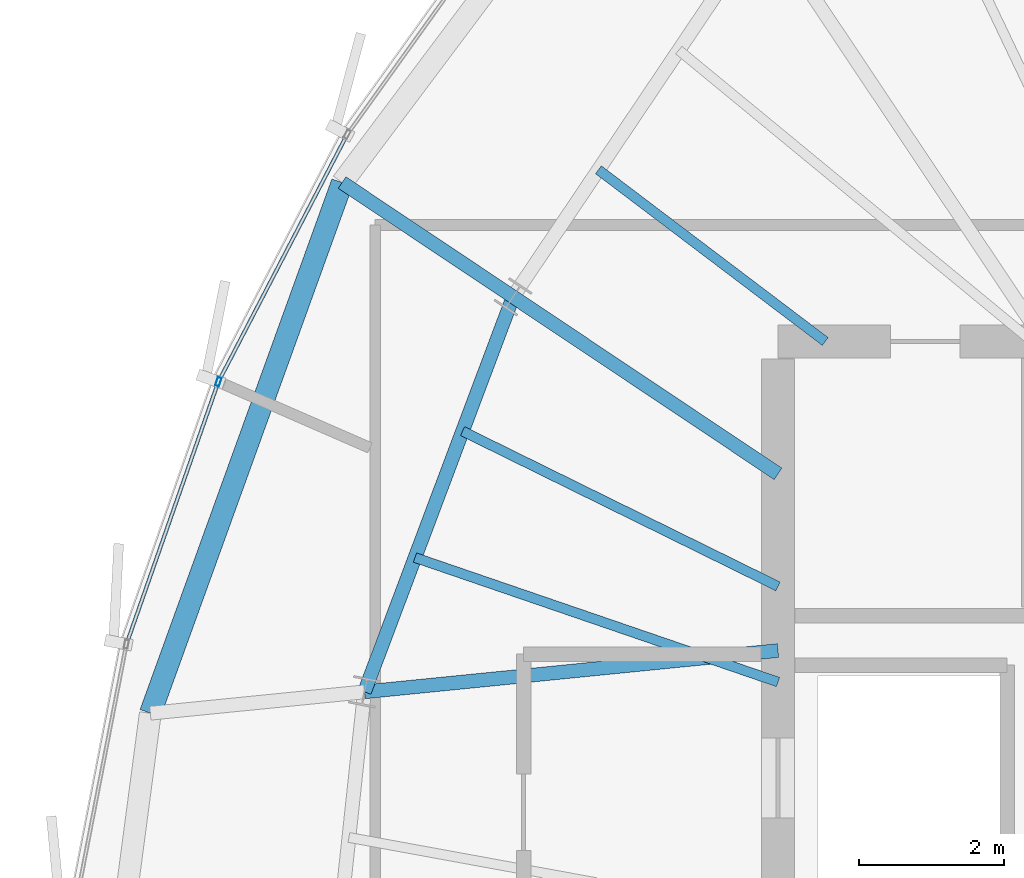
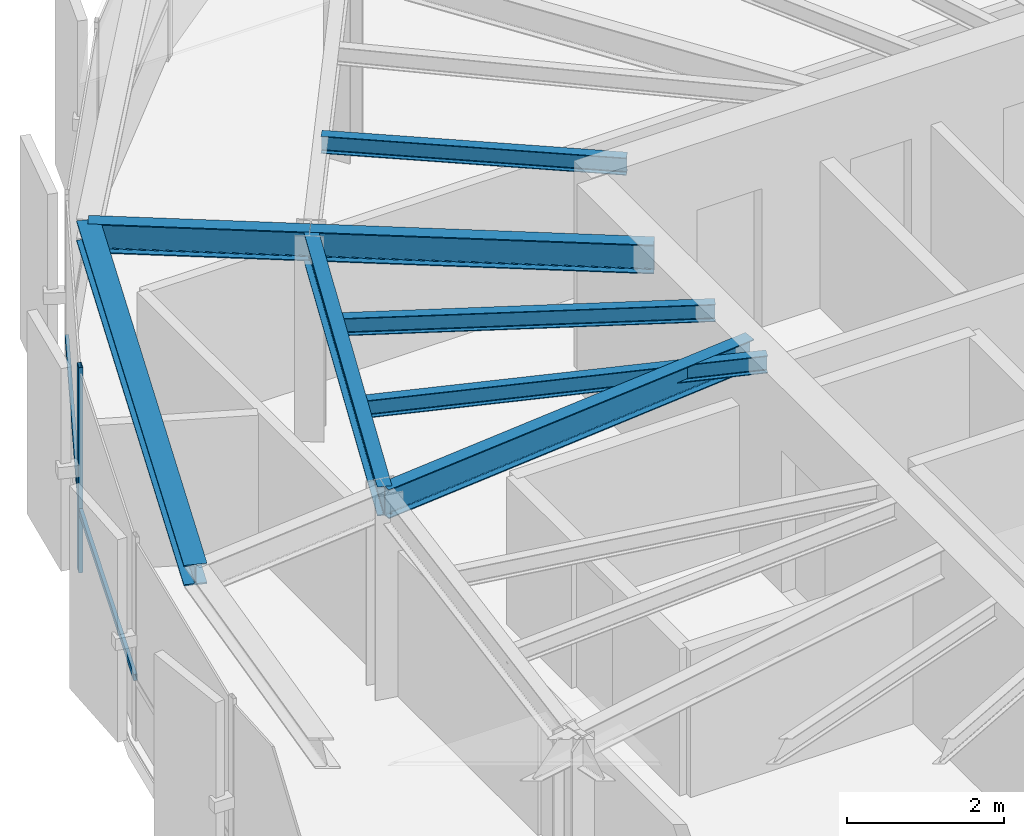
# One storey, part 12 of 31: 8 beams, 3 members, 1 element without a shape of its own.
"""IFC4 building model written with IfcOpenShell, lengths in metres."""

from ifc_helpers import new_model, si_unit, direction, frame, origin, origin_2d, place, context, subcontext, project, spatial, hollow_rectangle, i_section, extrude, source, transform, mapped, material, layer, layer_set, material_profile, profile_set, type_object, element, aggregate, save


model = new_model("IFC4")

# Units and contexts
model_context = context("Model", 3, precision=1e-05, world=origin(), true_north=direction((0.0, 1.0)))
body_context = subcontext(model_context, "Body", "Model", "MODEL_VIEW")
ifc_project = project(units=[si_unit("LENGTHUNIT", "METRE"), si_unit("AREAUNIT", "SQUARE_METRE"), si_unit("VOLUMEUNIT", "CUBIC_METRE"), si_unit("PLANEANGLEUNIT", "RADIAN"), si_unit("MASSUNIT", "GRAM", prefix="KILO"), si_unit("THERMODYNAMICTEMPERATUREUNIT", "KELVIN")], contexts=[model_context])

# Site, building, storey
site_placement = place(None, origin())
site = spatial("IfcSite", under=ifc_project, at=site_placement, CompositionType="ELEMENT")
building_placement = place(site_placement, origin())
building = spatial("IfcBuilding", under=site, at=building_placement, Name="Kethvar Cultural Tower", CompositionType="ELEMENT")
storey_placement = place(building_placement, frame((0.0, 0.0, 300.85009765625)))
storey = spatial("IfcBuildingStorey", under=building, at=storey_placement, Name="L80", CompositionType="ELEMENT", Elevation=300.85009765625)

# Beams
ifc_material_1 = material(Name="Steel S355J2", Category="steel")
ifc_material_profile_1 = material_profile(ifc_material_1, i_section(OverallWidth=0.18994140625, OverallDepth=0.449951171875, WebThickness=0.009521484375, FlangeThickness=0.0146484375, FilletRadius=0.02099609375, at=origin_2d()), Name="Steel S355J2 — IPE450")
ifc_profile_set_1 = profile_set([ifc_material_profile_1], Name="Steel S355J2 — IPE450")
beam_type_1 = type_object("IfcBeamType", Name="BM-IPE450", PredefinedType="BEAM", material=ifc_profile_set_1)
shared_shape_1 = source(origin(), body_context, "Body", "SweptSolid", [
    extrude(i_section(OverallWidth=0.18994140625, OverallDepth=0.449951171875, WebThickness=0.009521484375, FlangeThickness=0.0146484375, FilletRadius=0.02099609375, at=origin_2d()), origin(), (0.0, 0.0, 1.0), 4.3828125),
])
beam_1_placement = place(storey_placement, frame((38.0, 33.679931640625, 2.9580078125), z_axis=(-0.831449909861, 0.555599718676, 0.0), x_axis=(-0.555599718676, -0.831449909861, 0.0)))
element("IfcBeam", 1, at=beam_1_placement, inside=storey, type_object=beam_type_1, Name="L80 Primary Radial Beam RB-07", PredefinedType="BEAM", context=body_context, shape_type="MappedRepresentation", body=[
    mapped(shared_shape_1, transform((0.0, 0.0, 0.0), scale=1.0)),
])
shared_shape_2 = source(origin(), body_context, "Body", "SweptSolid", [
    extrude(i_section(OverallWidth=0.18994140625, OverallDepth=0.449951171875, WebThickness=0.009521484375, FlangeThickness=0.0146484375, FilletRadius=0.02099609375, at=origin_2d()), origin(), (0.0, 0.0, 1.0), 5.7158203125),
])
beam_2_placement = place(storey_placement, frame((38.0, 31.25, 2.9580078125), z_axis=(-0.995048179628, -0.099393763478, 0.0), x_axis=(0.099393763478, -0.995048179628, 0.0)))
element("IfcBeam", 2, at=beam_2_placement, inside=storey, type_object=beam_type_1, Name="L80 Primary Radial Beam RB-08", PredefinedType="BEAM", context=body_context, shape_type="MappedRepresentation", body=[
    mapped(shared_shape_2, transform((0.0, 0.0, 0.0), scale=1.0)),
])
ifc_material_profile_2 = material_profile(ifc_material_1, i_section(OverallWidth=0.135009765625, OverallDepth=0.27001953125, WebThickness=0.006591796875, FlangeThickness=0.01025390625, FilletRadius=0.014892578125, at=origin_2d()), Name="Steel S355J2 — IPE270")
ifc_profile_set_2 = profile_set([ifc_material_profile_2], Name="Steel S355J2 — IPE270")
beam_type_2 = type_object("IfcBeamType", Name="BM-J270", PredefinedType="JOIST", material=ifc_profile_set_2)
shared_shape_3 = source(origin(), body_context, "Body", "SweptSolid", [
    extrude(i_section(OverallWidth=0.135009765625, OverallDepth=0.27001953125, WebThickness=0.006591796875, FlangeThickness=0.01025390625, FilletRadius=0.014892578125, at=origin_2d()), origin(), (0.0, 0.0, 1.0), 3.91357421875),
])
beam_3_placement = place(storey_placement, frame((38.64990234375, 35.5, 3.0478515625), z_axis=(-0.797214062325, 0.603696727531, 0.0), x_axis=(-0.603696727531, -0.797214062325, 0.0)))
element("IfcBeam", 3, at=beam_3_placement, inside=storey, type_object=beam_type_2, Name="L80 Composite Floor Joist J-06B", PredefinedType="JOIST", context=body_context, shape_type="MappedRepresentation", body=[
    mapped(shared_shape_3, transform((0.0, 0.0, 0.0), scale=1.0)),
])
shared_shape_4 = source(origin(), body_context, "Body", "SweptSolid", [
    extrude(i_section(OverallWidth=0.18994140625, OverallDepth=0.449951171875, WebThickness=0.009521484375, FlangeThickness=0.0146484375, FilletRadius=0.02099609375, at=origin_2d()), origin(), (0.0, 0.0, 1.0), 5.8046875),
])
beam_4_placement = place(storey_placement, frame((34.35595703125, 36.114990234375, 2.9580078125), z_axis=(-0.352035902861, -0.935986497283, 0.0), x_axis=(0.935986497283, -0.352035902861, 0.0)))
element("IfcBeam", 4, at=beam_4_placement, inside=storey, type_object=beam_type_1, Name="L80 Column Ring Tie Beam CR-07", PredefinedType="BEAM", context=body_context, shape_type="MappedRepresentation", body=[
    mapped(shared_shape_4, transform((0.0, 0.0, 0.0), scale=1.0)),
])
shared_shape_5 = source(origin(), body_context, "Body", "SweptSolid", [
    extrude(i_section(OverallWidth=0.135009765625, OverallDepth=0.27001953125, WebThickness=0.006591796875, FlangeThickness=0.01025390625, FilletRadius=0.014892578125, at=origin_2d()), origin(), (0.0, 0.0, 1.0), 4.8359375),
])
beam_5_placement = place(storey_placement, frame((38.0, 32.1318359375, 3.0478515625), z_axis=(-0.897196527088, 0.441631511308, 0.0), x_axis=(-0.441631511308, -0.897196527088, 0.0)))
element("IfcBeam", 5, at=beam_5_placement, inside=storey, type_object=beam_type_2, Name="L80 Composite Floor Joist J-07A", PredefinedType="JOIST", context=body_context, shape_type="MappedRepresentation", body=[
    mapped(shared_shape_5, transform((0.0, 0.0, 0.0), scale=1.0)),
])
shared_shape_6 = source(origin(), body_context, "Body", "SweptSolid", [
    extrude(i_section(OverallWidth=0.135009765625, OverallDepth=0.27001953125, WebThickness=0.006591796875, FlangeThickness=0.01025390625, FilletRadius=0.014892578125, at=origin_2d()), origin(), (0.0, 0.0, 1.0), 5.2783203125),
])
beam_6_placement = place(storey_placement, frame((38.0, 30.817138671875, 3.0478515625), z_axis=(-0.945942702368, 0.324333784607, 0.0), x_axis=(-0.324333784607, -0.945942702368, 0.0)))
element("IfcBeam", 6, at=beam_6_placement, inside=storey, type_object=beam_type_2, Name="L80 Composite Floor Joist J-07B", PredefinedType="JOIST", context=body_context, shape_type="MappedRepresentation", body=[
    mapped(shared_shape_6, transform((0.0, 0.0, 0.0), scale=1.0)),
])
shared_shape_7 = source(origin(), body_context, "Body", "SweptSolid", [
    extrude(i_section(OverallWidth=0.18994140625, OverallDepth=0.449951171875, WebThickness=0.009521484375, FlangeThickness=0.0146484375, FilletRadius=0.02099609375, at=origin_2d()), origin(), (0.0, 0.0, 1.0), 2.826904296875),
])
beam_7_placement = place(storey_placement, frame((34.35595703125, 36.114990234375, 2.9580078125), z_axis=(-0.831478545345, 0.555556863544, 0.0), x_axis=(-0.555556863544, -0.831478545345, 0.0)))
element("IfcBeam", 7, at=beam_7_placement, inside=storey, type_object=beam_type_1, Name="L80 Perimeter Cantilever Beam RC-07", PredefinedType="BEAM", context=body_context, shape_type="MappedRepresentation", body=[
    mapped(shared_shape_7, transform((0.0, 0.0, 0.0), scale=1.0)),
])
ifc_material_profile_3 = material_profile(ifc_material_1, i_section(OverallWidth=0.300048828125, OverallDepth=0.320068359375, WebThickness=0.011474609375, FlangeThickness=0.0205078125, FilletRadius=0.027099609375, at=origin_2d()), Name="Steel S355J2 — HEB320")
ifc_profile_set_3 = profile_set([ifc_material_profile_3], Name="Steel S355J2 — HEB320")
beam_type_3 = type_object("IfcBeamType", Name="BM-SP320", PredefinedType="SPANDREL", material=ifc_profile_set_3)
shared_shape_8 = source(origin(), body_context, "Body", "SweptSolid", [
    extrude(i_section(OverallWidth=0.300048828125, OverallDepth=0.320068359375, WebThickness=0.011474609375, FlangeThickness=0.0205078125, FilletRadius=0.027099609375, at=origin_2d()), origin(), (0.0, 0.0, 1.0), 7.760009765625),
])
beam_8_placement = place(storey_placement, frame((32.00537109375, 37.685546875, 3.02294921875), z_axis=(-0.339969148339, -0.940436589132, 0.0), x_axis=(0.940436589132, -0.339969148339, 0.0)))
element("IfcBeam", 8, at=beam_8_placement, inside=storey, type_object=beam_type_3, Name="L80 Perimeter Spandrel Beam SP-07", PredefinedType="SPANDREL", context=body_context, shape_type="MappedRepresentation", body=[
    mapped(shared_shape_8, transform((0.0, 0.0, 0.0), scale=1.0)),
])

# Curtain wall, members
ifc_material_2 = material(Name="Aluminium 6063-T6", Category="aluminium")
ifc_layer = layer(ifc_material_2, 0.179931640625, Name="Aluminium 6063-T6", Category="aluminium")
ifc_layer_set = layer_set([ifc_layer], Name="Aluminium 6063-T6 (180 mm)")
curtain_wall_type = type_object("IfcCurtainWallType", Name="CW-SYS-05-Z56", PredefinedType="NOTDEFINED", material=ifc_layer_set)
curtain_wall_placement = place(storey_placement, origin())
curtain_wall = element("IfcCurtainWall", 9, at=curtain_wall_placement, inside=storey, type_object=curtain_wall_type, Name="L80 Curtain Wall Run 02", PredefinedType="NOTDEFINED")
ifc_material_profile_4 = material_profile(ifc_material_2, hollow_rectangle(XDim=0.050048828125, YDim=0.10009765625, WallThickness=0.00390625, at=origin_2d()), Name="Aluminium 6063-T6 — RHS100x50x4")
ifc_profile_set_4 = profile_set([ifc_material_profile_4], Name="Aluminium 6063-T6 — RHS100x50x4")
member_type_1 = type_object("IfcMemberType", Name="CW-SYS-05-Z56-TRN", PredefinedType="USERDEFINED", material=ifc_profile_set_4)
shared_shape_9 = source(origin(), body_context, "Body", "SweptSolid", [
    extrude(hollow_rectangle(XDim=0.050048828125, YDim=0.10009765625, WallThickness=0.00390625, at=origin_2d()), origin(), (0.0, 0.0, 1.0), 3.759765625),
])
member_1_placement = place(storey_placement, frame((30.2900390625, 34.9091796875, 0.949951171875), z_axis=(-0.330451657011, -0.943822918973, 0.0), x_axis=(0.943822918973, -0.330451657011, 0.0)))
member_1 = element("IfcMember", 10, at=member_1_placement, type_object=member_type_1, Name="CW-L80-R02 Transom 4", ObjectType="TRANSOM", PredefinedType="USERDEFINED", context=body_context, shape_type="MappedRepresentation", body=[
    mapped(shared_shape_9, transform((0.0, 0.0, 0.0), scale=1.0)),
])
shared_shape_10 = source(origin(), body_context, "Body", "SweptSolid", [
    extrude(hollow_rectangle(XDim=0.050048828125, YDim=0.10009765625, WallThickness=0.00390625, at=origin_2d()), origin(), (0.0, 0.0, 1.0), 3.770263671875),
])
member_2_placement = place(storey_placement, frame((32.05615234375, 38.31298828125, 0.949951171875), z_axis=(-0.461583119867, -0.887096963953, 0.0), x_axis=(0.887096963953, -0.461583119867, 0.0)))
member_2 = element("IfcMember", 11, at=member_2_placement, type_object=member_type_1, Name="CW-L80-R02 Transom 3", ObjectType="TRANSOM", PredefinedType="USERDEFINED", context=body_context, shape_type="MappedRepresentation", body=[
    mapped(shared_shape_10, transform((0.0, 0.0, 0.0), scale=1.0)),
])
ifc_material_profile_5 = material_profile(ifc_material_2, hollow_rectangle(XDim=0.054931640625, YDim=0.1201171875, WallThickness=0.00390625, at=origin_2d()), Name="Aluminium 6063-T6 — RHS120x55x4")
ifc_profile_set_5 = profile_set([ifc_material_profile_5], Name="Aluminium 6063-T6 — RHS120x55x4")
member_type_2 = type_object("IfcMemberType", Name="CW-SYS-05-Z56-MUL", PredefinedType="MULLION", material=ifc_profile_set_5)
shared_shape_11 = source(origin(), body_context, "Body", "SweptSolid", [
    extrude(hollow_rectangle(XDim=0.054931640625, YDim=0.1201171875, WallThickness=0.00390625, at=origin_2d()), origin(), (0.0, 0.0, 1.0), 3.184814453125),
])
member_3_placement = place(storey_placement, frame((30.30322265625, 34.946533203125, 0.0), z_axis=(0.0, 0.0, 1.0), x_axis=(0.943818255983, -0.330464974958, 0.0)))
member_3 = element("IfcMember", 12, at=member_3_placement, type_object=member_type_2, Name="CW-L80-R02 Mullion 4", PredefinedType="MULLION", context=body_context, shape_type="MappedRepresentation", body=[
    mapped(shared_shape_11, transform((0.0, 0.0, 0.0), scale=1.0)),
])
aggregate(curtain_wall, [member_3, member_2, member_1])

save(model, "model.ifc")
